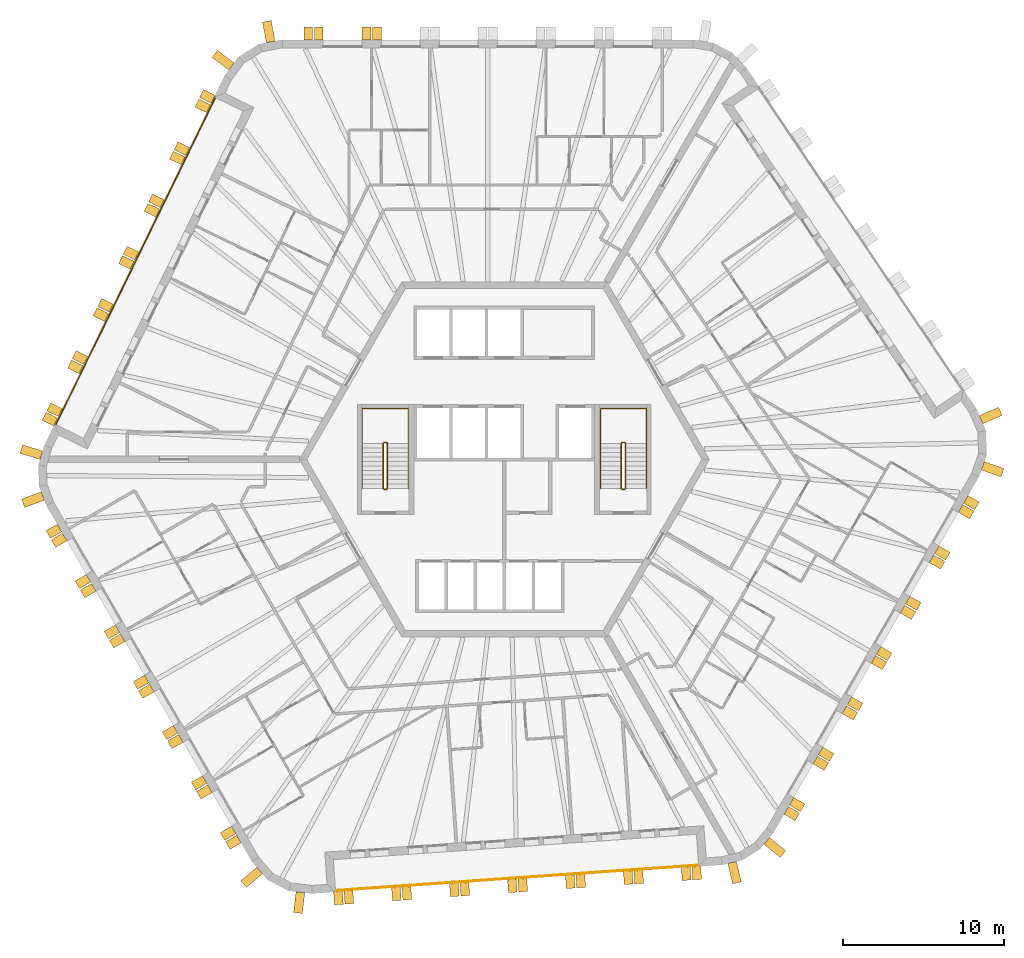
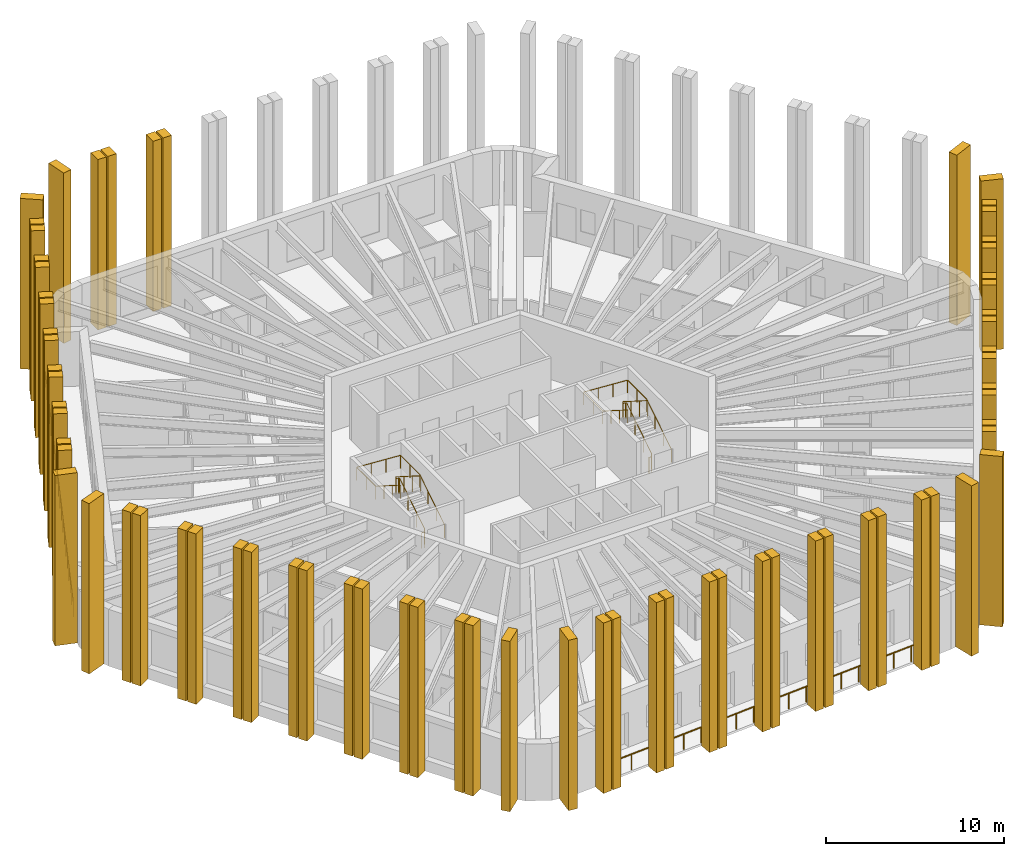
# One storey, part 12 of 13: 70 shading devices, 6 railings.
"""IFC4 building model written with IfcOpenShell, lengths in metres."""

from ifc_helpers import new_model, si_unit, direction, frame, origin, origin_2d, place, context, subcontext, project, spatial, polyline, circle, outline, extrude, material, layer, layer_set, type_object, element, save


model = new_model("IFC4")

# Units and contexts
model_context = context("Model", 3, precision=1e-05, world=origin(), true_north=direction((0.0, 1.0)))
body_context = subcontext(model_context, "Body", "Model", "MODEL_VIEW")
ifc_project = project(units=[si_unit("LENGTHUNIT", "METRE"), si_unit("AREAUNIT", "SQUARE_METRE"), si_unit("VOLUMEUNIT", "CUBIC_METRE"), si_unit("PLANEANGLEUNIT", "RADIAN"), si_unit("MASSUNIT", "GRAM", prefix="KILO")], contexts=[model_context])

# Site, building, storey
site_placement = place(None, origin())
site = spatial("IfcSite", under=ifc_project, at=site_placement, CompositionType="ELEMENT")
building_placement = place(site_placement, origin())
building = spatial("IfcBuilding", under=site, at=building_placement, Name="Tarnside Tower", CompositionType="ELEMENT")
storey_placement = place(building_placement, frame((0.0, 0.0, 267.89990234375)))
storey = spatial("IfcBuildingStorey", under=building, at=storey_placement, Name="L64", CompositionType="ELEMENT", Elevation=267.89990234375)

# Railings
ifc_material_1 = material(Name="Toughened glass", Category="glass")
railing_type_1 = type_object("IfcRailingType", Name="Glass guard 1100", PredefinedType="GUARDRAIL", material=ifc_material_1)
railing_1_placement = place(storey_placement, frame((-17.906005859375, 22.415283203125, 0.0)))
element("IfcRailing", 1, at=railing_1_placement, inside=storey, type_object=railing_type_1, Name="Loggia guard L64 F2", PredefinedType="GUARDRAIL", context=body_context, shape_type="SweptSolid", body=[
    extrude(circle(Radius=0.030029296875, at=origin_2d()), frame((0.0, 0.0, 1.070068359375), z_axis=(-0.438372639335, -0.898793318335, 0.0), x_axis=(0.898793318335, -0.438372639335, 0.0)), (0.0, 0.0, 1.0), 22.544921875),
    extrude(circle(Radius=0.02490234375, at=origin_2d()), origin(), (0.0, 0.0, 1.0), 1.0400390625),
    extrude(circle(Radius=0.02490234375, at=origin_2d()), frame((-0.520263671875, -1.06640625, 0.0)), (0.0, 0.0, 1.0), 1.0400390625),
    extrude(circle(Radius=0.02490234375, at=origin_2d()), frame((-1.040283203125, -2.133056640625, 0.0)), (0.0, 0.0, 1.0), 1.0400390625),
    extrude(circle(Radius=0.02490234375, at=origin_2d()), frame((-1.560546875, -3.199462890625, 0.0)), (0.0, 0.0, 1.0), 1.0400390625),
    extrude(circle(Radius=0.02490234375, at=origin_2d()), frame((-2.08056640625, -4.265869140625, 0.0)), (0.0, 0.0, 1.0), 1.0400390625),
    extrude(circle(Radius=0.02490234375, at=origin_2d()), frame((-2.600830078125, -5.33251953125, 0.0)), (0.0, 0.0, 1.0), 1.0400390625),
    extrude(circle(Radius=0.02490234375, at=origin_2d()), frame((-3.120849609375, -6.39892578125, 0.0)), (0.0, 0.0, 1.0), 1.0400390625),
    extrude(circle(Radius=0.02490234375, at=origin_2d()), frame((-3.64111328125, -7.46533203125, 0.0)), (0.0, 0.0, 1.0), 1.0400390625),
    extrude(circle(Radius=0.02490234375, at=origin_2d()), frame((-4.161376953125, -8.531982421875, 0.0)), (0.0, 0.0, 1.0), 1.0400390625),
    extrude(circle(Radius=0.02490234375, at=origin_2d()), frame((-4.681396484375, -9.598388671875, 0.0)), (0.0, 0.0, 1.0), 1.0400390625),
    extrude(circle(Radius=0.02490234375, at=origin_2d()), frame((-5.20166015625, -10.664794921875, 0.0)), (0.0, 0.0, 1.0), 1.0400390625),
    extrude(circle(Radius=0.02490234375, at=origin_2d()), frame((-5.7216796875, -11.731201171875, 0.0)), (0.0, 0.0, 1.0), 1.0400390625),
    extrude(circle(Radius=0.02490234375, at=origin_2d()), frame((-6.241943359375, -12.7978515625, 0.0)), (0.0, 0.0, 1.0), 1.0400390625),
    extrude(circle(Radius=0.02490234375, at=origin_2d()), frame((-6.76220703125, -13.8642578125, 0.0)), (0.0, 0.0, 1.0), 1.0400390625),
    extrude(circle(Radius=0.02490234375, at=origin_2d()), frame((-7.2822265625, -14.9306640625, 0.0)), (0.0, 0.0, 1.0), 1.0400390625),
    extrude(circle(Radius=0.02490234375, at=origin_2d()), frame((-7.802490234375, -15.997314453125, 0.0)), (0.0, 0.0, 1.0), 1.0400390625),
    extrude(circle(Radius=0.02490234375, at=origin_2d()), frame((-8.322509765625, -17.063720703125, 0.0)), (0.0, 0.0, 1.0), 1.0400390625),
    extrude(circle(Radius=0.02490234375, at=origin_2d()), frame((-8.8427734375, -18.130126953125, 0.0)), (0.0, 0.0, 1.0), 1.0400390625),
    extrude(circle(Radius=0.02490234375, at=origin_2d()), frame((-9.36279296875, -19.19677734375, 0.0)), (0.0, 0.0, 1.0), 1.0400390625),
    extrude(circle(Radius=0.02490234375, at=origin_2d()), frame((-9.883056640625, -20.26318359375, 0.0)), (0.0, 0.0, 1.0), 1.0400390625),
])
railing_2_placement = place(storey_placement, frame((-10.458984375, -26.714599609375, 0.0)))
element("IfcRailing", 2, at=railing_2_placement, inside=storey, type_object=railing_type_1, Name="Loggia guard L64 F4", PredefinedType="GUARDRAIL", context=body_context, shape_type="SweptSolid", body=[
    extrude(circle(Radius=0.030029296875, at=origin_2d()), frame((0.0, 0.0, 1.070068359375), z_axis=(0.997564440639, 0.069750890837, 0.0), x_axis=(-0.069750890837, 0.997564440639, 0.0)), (0.0, 0.0, 1.0), 22.544677734375),
    extrude(circle(Radius=0.02490234375, at=origin_2d()), origin(), (0.0, 0.0, 1.0), 1.0400390625),
    extrude(circle(Radius=0.02490234375, at=origin_2d()), frame((1.18359375, 0.082763671875, 0.0)), (0.0, 0.0, 1.0), 1.0400390625),
    extrude(circle(Radius=0.02490234375, at=origin_2d()), frame((2.367431640625, 0.16552734375, 0.0)), (0.0, 0.0, 1.0), 1.0400390625),
    extrude(circle(Radius=0.02490234375, at=origin_2d()), frame((3.551025390625, 0.248291015625, 0.0)), (0.0, 0.0, 1.0), 1.0400390625),
    extrude(circle(Radius=0.02490234375, at=origin_2d()), frame((4.734619140625, 0.3310546875, 0.0)), (0.0, 0.0, 1.0), 1.0400390625),
    extrude(circle(Radius=0.02490234375, at=origin_2d()), frame((5.91845703125, 0.413818359375, 0.0)), (0.0, 0.0, 1.0), 1.0400390625),
    extrude(circle(Radius=0.02490234375, at=origin_2d()), frame((7.10205078125, 0.49658203125, 0.0)), (0.0, 0.0, 1.0), 1.0400390625),
    extrude(circle(Radius=0.02490234375, at=origin_2d()), frame((8.28564453125, 0.579345703125, 0.0)), (0.0, 0.0, 1.0), 1.0400390625),
    extrude(circle(Radius=0.02490234375, at=origin_2d()), frame((9.469482421875, 0.662109375, 0.0)), (0.0, 0.0, 1.0), 1.0400390625),
    extrude(circle(Radius=0.02490234375, at=origin_2d()), frame((10.653076171875, 0.744873046875, 0.0)), (0.0, 0.0, 1.0), 1.0400390625),
    extrude(circle(Radius=0.02490234375, at=origin_2d()), frame((11.836669921875, 0.82763671875, 0.0)), (0.0, 0.0, 1.0), 1.0400390625),
    extrude(circle(Radius=0.02490234375, at=origin_2d()), frame((13.020263671875, 0.910400390625, 0.0)), (0.0, 0.0, 1.0), 1.0400390625),
    extrude(circle(Radius=0.02490234375, at=origin_2d()), frame((14.2041015625, 0.9931640625, 0.0)), (0.0, 0.0, 1.0), 1.0400390625),
    extrude(circle(Radius=0.02490234375, at=origin_2d()), frame((15.3876953125, 1.075927734375, 0.0)), (0.0, 0.0, 1.0), 1.0400390625),
    extrude(circle(Radius=0.02490234375, at=origin_2d()), frame((16.5712890625, 1.15869140625, 0.0)), (0.0, 0.0, 1.0), 1.0400390625),
    extrude(circle(Radius=0.02490234375, at=origin_2d()), frame((17.755126953125, 1.241455078125, 0.0)), (0.0, 0.0, 1.0), 1.0400390625),
    extrude(circle(Radius=0.02490234375, at=origin_2d()), frame((18.938720703125, 1.32421875, 0.0)), (0.0, 0.0, 1.0), 1.0400390625),
    extrude(circle(Radius=0.02490234375, at=origin_2d()), frame((20.122314453125, 1.406982421875, 0.0)), (0.0, 0.0, 1.0), 1.0400390625),
    extrude(circle(Radius=0.02490234375, at=origin_2d()), frame((21.30615234375, 1.48974609375, 0.0)), (0.0, 0.0, 1.0), 1.0400390625),
    extrude(circle(Radius=0.02490234375, at=origin_2d()), frame((22.48974609375, 1.572509765625, 0.0)), (0.0, 0.0, 1.0), 1.0400390625),
])

# Shading devices
ifc_material_2 = material(Name="Concrete C50/60 white precast", Category="concrete")
ifc_layer_1 = layer(ifc_material_2, 0.550048828125)
ifc_layer_set_1 = layer_set([ifc_layer_1], Name="Precast fin 550 x 1300")
shading_device_type_1 = type_object("IfcShadingDeviceType", Name="Precast fin 550 x 1300", PredefinedType="USERDEFINED", material=ifc_layer_set_1)
for number, where, z_axis, x_axis, name in (
    (3, (-14.4755859375, 25.8671875, -0.14990234375), (0.982720646705, 0.18509492305, 0.0), (-0.18509492305, 0.982720646705, 0.0), "Precast fin"),
    (4, (-16.903564453125, 24.349853515625, -0.14990234375), (0.597158591707, 0.802123192752, 0.0), (-0.802123192752, 0.597158591707, 0.0), "Precast fin"),
    (5, (-28.685791015625, 0.263427734375, -0.14990234375), (0.286803232717, 0.957989512314, 0.0), (-0.957989512314, 0.286803232717, 0.0), "Precast fin"),
    (6, (-28.597412109375, -2.263671875, -0.14990234375), (-0.352930564719, 0.935649515837, 0.0), (-0.935649515837, -0.352930564719, 0.0), "Precast fin"),
    (7, (-15.163818359375, -25.4697265625, -0.14990234375), (-0.651657228826, 0.758513583345, 0.0), (-0.758513583345, -0.651657228826, 0.0), "Precast fin"),
    (8, (-12.6357421875, -26.81396484375, -0.14990234375), (-0.993238357741, 0.116092914131, 0.0), (-0.116092914131, -0.993238357741, 0.0), "Precast fin"),
    (9, (14.11474609375, -24.974365234375, -0.14990234375), (-0.973044870581, -0.230615870737, 0.0), (0.230615870737, -0.973044870581, 0.0), "Precast fin"),
    (10, (16.25927734375, -23.63427734375, -0.14990234375), (-0.633830967394, -0.773471592738, 0.0), (0.773471592738, -0.633830967394, 0.0), "Precast fin"),
    (11, (29.639404296875, -0.3974609375, -0.14990234375), (-0.331063417879, -0.943608506396, 0.0), (0.943608506396, -0.331063417879, 0.0), "Precast fin"),
    (12, (29.53955078125, 2.464111328125, -0.14990234375), (0.396079766034, -0.918216106883, 0.0), (0.918216106883, 0.396079766034, 0.0), "Precast fin"),
):
    element("IfcShadingDevice", number, at=place(storey_placement, frame(where, z_axis=z_axis, x_axis=x_axis)), inside=storey, type_object=shading_device_type_1, Name=name, ObjectType="FIN", PredefinedType="USERDEFINED", context=body_context, shape_type="SweptSolid", body=[
        extrude(outline(polyline([(0.0, 0.0), (1.300048828125, 0.0), (1.300048828125, 11.699951171875), (0.0, 11.699951171875), (0.0, 0.0)])), frame((0.0, 0.0, -0.27490234375)), (0.0, 0.0, 1.0), 0.550048828125),
    ])
ifc_layer_2 = layer(ifc_material_2, 0.550048828125)
ifc_layer_set_2 = layer_set([ifc_layer_2], Name="Precast fin 550 x 800")
shading_device_type_2 = type_object("IfcShadingDeviceType", Name="Precast fin 550 x 800", PredefinedType="USERDEFINED", material=ifc_layer_set_2)
for number, where, z_axis, x_axis, name in (
    (13, (-7.89990234375, 26.0, -0.14990234375), (1.0, 0.0, 0.0), (0.0, 1.0, 0.0), "Precast fin"),
    (14, (-8.5498046875, 26.0, -0.14990234375), (1.0, 0.0, 0.0), (0.0, 1.0, 0.0), "Precast fin"),
    (15, (-11.499755859375, 26.0, -0.14990234375), (1.0, 0.0, 0.0), (0.0, 1.0, 0.0), "Precast fin"),
    (16, (-12.14990234375, 26.0, -0.14990234375), (1.0, 0.0, 0.0), (0.0, 1.0, 0.0), "Precast fin"),
    (17, (-18.04248046875, 22.31787109375, -0.14990234375), (0.438371146789, 0.898794046299, 0.0), (-0.898794046299, 0.438371146789, 0.0), "Precast fin"),
    (18, (-18.327392578125, 21.733642578125, -0.14990234375), (0.438371146789, 0.898794046299, 0.0), (-0.898794046299, 0.438371146789, 0.0), "Precast fin"),
    (19, (-19.62060546875, 19.08203125, -0.14990234375), (0.438371146789, 0.898794046299, 0.0), (-0.898794046299, 0.438371146789, 0.0), "Precast fin"),
    (20, (-19.905517578125, 18.497802734375, -0.14990234375), (0.438371146789, 0.898794046299, 0.0), (-0.898794046299, 0.438371146789, 0.0), "Precast fin"),
    (21, (-21.19873046875, 15.846435546875, -0.14990234375), (0.438371146789, 0.898794046299, 0.0), (-0.898794046299, 0.438371146789, 0.0), "Precast fin"),
    (22, (-21.48388671875, 15.26220703125, -0.14990234375), (0.438371146789, 0.898794046299, 0.0), (-0.898794046299, 0.438371146789, 0.0), "Precast fin"),
    (23, (-22.77685546875, 12.61083984375, -0.14990234375), (0.438371146789, 0.898794046299, 0.0), (-0.898794046299, 0.438371146789, 0.0), "Precast fin"),
    (24, (-23.06201171875, 12.026611328125, -0.14990234375), (0.438371146789, 0.898794046299, 0.0), (-0.898794046299, 0.438371146789, 0.0), "Precast fin"),
    (25, (-24.35498046875, 9.375, -0.14990234375), (0.438371146789, 0.898794046299, 0.0), (-0.898794046299, 0.438371146789, 0.0), "Precast fin"),
    (26, (-24.64013671875, 8.791015625, -0.14990234375), (0.438371146789, 0.898794046299, 0.0), (-0.898794046299, 0.438371146789, 0.0), "Precast fin"),
    (27, (-25.933349609375, 6.139404296875, -0.14990234375), (0.438371146789, 0.898794046299, 0.0), (-0.898794046299, 0.438371146789, 0.0), "Precast fin"),
    (28, (-26.21826171875, 5.55517578125, -0.14990234375), (0.438371146789, 0.898794046299, 0.0), (-0.898794046299, 0.438371146789, 0.0), "Precast fin"),
    (29, (-27.511474609375, 2.90380859375, -0.14990234375), (0.438371146789, 0.898794046299, 0.0), (-0.898794046299, 0.438371146789, 0.0), "Precast fin"),
    (30, (-27.79638671875, 2.319580078125, -0.14990234375), (0.438371146789, 0.898794046299, 0.0), (-0.898794046299, 0.438371146789, 0.0), "Precast fin"),
    (31, (-27.566650390625, -4.2529296875, -0.14990234375), (-0.5, 0.866025403784, 0.0), (-0.866025403784, -0.5, 0.0), "Precast fin"),
    (32, (-27.24169921875, -4.81591796875, -0.14990234375), (-0.5, 0.866025403784, 0.0), (-0.866025403784, -0.5, 0.0), "Precast fin"),
    (33, (-25.766845703125, -7.37060546875, -0.14990234375), (-0.5, 0.866025403784, 0.0), (-0.866025403784, -0.5, 0.0), "Precast fin"),
    (34, (-25.441650390625, -7.93359375, -0.14990234375), (-0.5, 0.866025403784, 0.0), (-0.866025403784, -0.5, 0.0), "Precast fin"),
    (35, (-23.966796875, -10.48828125, -0.14990234375), (-0.5, 0.866025403784, 0.0), (-0.866025403784, -0.5, 0.0), "Precast fin"),
    (36, (-23.641845703125, -11.05126953125, -0.14990234375), (-0.5, 0.866025403784, 0.0), (-0.866025403784, -0.5, 0.0), "Precast fin"),
    (37, (-22.166748046875, -13.60595703125, -0.14990234375), (-0.5, 0.866025403784, 0.0), (-0.866025403784, -0.5, 0.0), "Precast fin"),
    (38, (-21.841796875, -14.1689453125, -0.14990234375), (-0.5, 0.866025403784, 0.0), (-0.866025403784, -0.5, 0.0), "Precast fin"),
    (39, (-20.36669921875, -16.7236328125, -0.14990234375), (-0.5, 0.866025403784, 0.0), (-0.866025403784, -0.5, 0.0), "Precast fin"),
    (40, (-20.041748046875, -17.28662109375, -0.14990234375), (-0.5, 0.866025403784, 0.0), (-0.866025403784, -0.5, 0.0), "Precast fin"),
    (41, (-18.566650390625, -19.84130859375, -0.14990234375), (-0.5, 0.866025403784, 0.0), (-0.866025403784, -0.5, 0.0), "Precast fin"),
    (42, (-18.24169921875, -20.404296875, -0.14990234375), (-0.5, 0.866025403784, 0.0), (-0.866025403784, -0.5, 0.0), "Precast fin"),
    (43, (-16.766845703125, -22.959228515625, -0.14990234375), (-0.5, 0.866025403784, 0.0), (-0.866025403784, -0.5, 0.0), "Precast fin"),
    (44, (-16.441650390625, -23.52197265625, -0.14990234375), (-0.5, 0.866025403784, 0.0), (-0.866025403784, -0.5, 0.0), "Precast fin"),
    (45, (-10.306396484375, -26.7841796875, -0.14990234375), (-0.99756405026, -0.069756473744, 0.0), (0.069756473744, -0.99756405026, 0.0), "Precast fin"),
    (46, (-9.657958984375, -26.73876953125, -0.14990234375), (-0.99756405026, -0.069756473744, 0.0), (0.069756473744, -0.99756405026, 0.0), "Precast fin"),
    (47, (-6.71533203125, -26.532958984375, -0.14990234375), (-0.99756405026, -0.069756473744, 0.0), (0.069756473744, -0.99756405026, 0.0), "Precast fin"),
    (48, (-6.06689453125, -26.48779296875, -0.14990234375), (-0.99756405026, -0.069756473744, 0.0), (0.069756473744, -0.99756405026, 0.0), "Precast fin"),
    (49, (-3.1240234375, -26.281982421875, -0.14990234375), (-0.99756405026, -0.069756473744, 0.0), (0.069756473744, -0.99756405026, 0.0), "Precast fin"),
    (50, (-2.4755859375, -26.236572265625, -0.14990234375), (-0.99756405026, -0.069756473744, 0.0), (0.069756473744, -0.99756405026, 0.0), "Precast fin"),
    (51, (0.46728515625, -26.03076171875, -0.14990234375), (-0.99756405026, -0.069756473744, 0.0), (0.069756473744, -0.99756405026, 0.0), "Precast fin"),
    (52, (1.11572265625, -25.985595703125, -0.14990234375), (-0.99756405026, -0.069756473744, 0.0), (0.069756473744, -0.99756405026, 0.0), "Precast fin"),
    (53, (4.058349609375, -25.77978515625, -0.14990234375), (-0.99756405026, -0.069756473744, 0.0), (0.069756473744, -0.99756405026, 0.0), "Precast fin"),
    (54, (4.706787109375, -25.734375, -0.14990234375), (-0.99756405026, -0.069756473744, 0.0), (0.069756473744, -0.99756405026, 0.0), "Precast fin"),
    (55, (7.649658203125, -25.528564453125, -0.14990234375), (-0.99756405026, -0.069756473744, 0.0), (0.069756473744, -0.99756405026, 0.0), "Precast fin"),
    (56, (8.298095703125, -25.483154296875, -0.14990234375), (-0.99756405026, -0.069756473744, 0.0), (0.069756473744, -0.99756405026, 0.0), "Precast fin"),
    (57, (11.240966796875, -25.27734375, -0.14990234375), (-0.99756405026, -0.069756473744, 0.0), (0.069756473744, -0.99756405026, 0.0), "Precast fin"),
    (58, (11.889404296875, -25.232177734375, -0.14990234375), (-0.99756405026, -0.069756473744, 0.0), (0.069756473744, -0.99756405026, 0.0), "Precast fin"),
    (59, (17.466552734375, -21.7470703125, -0.14990234375), (-0.5, -0.866025403784, 0.0), (0.866025403784, -0.5, 0.0), "Precast fin"),
    (60, (17.79150390625, -21.18408203125, -0.14990234375), (-0.5, -0.866025403784, 0.0), (0.866025403784, -0.5, 0.0), "Precast fin"),
    (61, (19.2666015625, -18.62939453125, -0.14990234375), (-0.5, -0.866025403784, 0.0), (0.866025403784, -0.5, 0.0), "Precast fin"),
    (62, (19.591552734375, -18.06640625, -0.14990234375), (-0.5, -0.866025403784, 0.0), (0.866025403784, -0.5, 0.0), "Precast fin"),
    (63, (21.066650390625, -15.51171875, -0.14990234375), (-0.5, -0.866025403784, 0.0), (0.866025403784, -0.5, 0.0), "Precast fin"),
    (64, (21.3916015625, -14.94873046875, -0.14990234375), (-0.5, -0.866025403784, 0.0), (0.866025403784, -0.5, 0.0), "Precast fin"),
    (65, (22.866455078125, -12.39404296875, -0.14990234375), (-0.5, -0.866025403784, 0.0), (0.866025403784, -0.5, 0.0), "Precast fin"),
    (66, (23.191650390625, -11.8310546875, -0.14990234375), (-0.5, -0.866025403784, 0.0), (0.866025403784, -0.5, 0.0), "Precast fin"),
    (67, (24.66650390625, -9.2763671875, -0.14990234375), (-0.5, -0.866025403784, 0.0), (0.866025403784, -0.5, 0.0), "Precast fin"),
    (68, (24.991455078125, -8.71337890625, -0.14990234375), (-0.5, -0.866025403784, 0.0), (0.866025403784, -0.5, 0.0), "Precast fin"),
    (69, (26.466552734375, -6.15869140625, -0.14990234375), (-0.5, -0.866025403784, 0.0), (0.866025403784, -0.5, 0.0), "Precast fin"),
    (70, (26.79150390625, -5.595703125, -0.14990234375), (-0.5, -0.866025403784, 0.0), (0.866025403784, -0.5, 0.0), "Precast fin"),
    (71, (28.2666015625, -3.040771484375, -0.14990234375), (-0.5, -0.866025403784, 0.0), (0.866025403784, -0.5, 0.0), "Precast fin"),
    (72, (28.591552734375, -2.47802734375, -0.14990234375), (-0.5, -0.866025403784, 0.0), (0.866025403784, -0.5, 0.0), "Precast fin"),
):
    element("IfcShadingDevice", number, at=place(storey_placement, frame(where, z_axis=z_axis, x_axis=x_axis)), inside=storey, type_object=shading_device_type_2, Name=name, ObjectType="FIN", PredefinedType="USERDEFINED", context=body_context, shape_type="SweptSolid", body=[
        extrude(outline(polyline([(0.0, 0.0), (0.800048828125, 0.0), (0.800048828125, 11.699951171875), (0.0, 11.699951171875), (0.0, 0.0)])), frame((0.0, 0.0, -0.27490234375)), (0.0, 0.0, 1.0), 0.550048828125),
    ])

# Railings
ifc_material_3 = material(Name="Stainless steel", Category="steel")
railing_type_2 = type_object("IfcRailingType", Name="Stair guard 1100", PredefinedType="GUARDRAIL", material=ifc_material_3)
railing_3_placement = place(storey_placement, frame((7.300048828125, -1.85009765625, 0.0)))
element("IfcRailing", 73, at=railing_3_placement, inside=storey, type_object=railing_type_2, Name="L64 ST1 stair guard 1", PredefinedType="GUARDRAIL", context=body_context, shape_type="SweptSolid", body=[
    extrude(circle(Radius=0.02392578125, at=origin_2d()), frame((0.0, 0.0, 1.076171875), z_axis=(1.0, 0.0, 0.0), x_axis=(0.0, 1.0, 0.0)), (0.0, 0.0, 1.0), 0.14990234375),
    extrude(circle(Radius=0.02392578125, at=origin_2d()), frame((0.14990234375, 0.0, 1.076171875), z_axis=(0.261922500866, 0.261922500866, 0.928866625022), x_axis=(-0.707106781187, 0.707106781187, 0.0)), (0.0, 0.0, 1.0), 0.191162109375),
    extrude(circle(Radius=0.02392578125, at=origin_2d()), frame((0.199951171875, 0.050048828125, 1.25341796875), z_axis=(0.0, 0.844908973607, 0.534910110503), x_axis=(-1.0, 0.0, 0.0)), (0.0, 0.0, 1.0), 3.31396484375),
    extrude(circle(Radius=0.02392578125, at=origin_2d()), frame((0.199951171875, 2.85009765625, 3.0263671875), z_axis=(-0.707106781187, 0.707106781187, 0.0), x_axis=(-0.707106781187, -0.707106781187, 0.0)), (0.0, 0.0, 1.0), 0.07080078125),
    extrude(circle(Radius=0.02392578125, at=origin_2d()), frame((0.14990234375, 2.900146484375, 3.0263671875), z_axis=(-1.0, 0.0, 0.0), x_axis=(0.0, -1.0, 0.0)), (0.0, 0.0, 1.0), 0.14990234375),
    extrude(circle(Radius=0.02392578125, at=origin_2d()), frame((0.0, 2.900146484375, 3.0263671875), z_axis=(-0.262233686654, -0.262233686654, 0.928691007369), x_axis=(0.707106781187, -0.707106781187, 0.0)), (0.0, 0.0, 1.0), 0.19091796875),
    extrude(circle(Radius=0.02392578125, at=origin_2d()), frame((-0.050048828125, 2.85009765625, 3.20361328125), z_axis=(0.0, -0.844908973607, 0.534910110503), x_axis=(1.0, 0.0, 0.0)), (0.0, 0.0, 1.0), 3.31396484375),
    extrude(circle(Radius=0.02099609375, at=origin_2d()), origin(), (0.0, 0.0, 1.0), 1.052001953125),
    extrude(circle(Radius=0.02099609375, at=origin_2d()), frame((0.14990234375, 0.0, 0.0)), (0.0, 0.0, 1.0), 1.052001953125),
    extrude(circle(Radius=0.02099609375, at=origin_2d()), frame((0.199951171875, 0.050048828125, 0.177490234375)), (0.0, 0.0, 1.0), 1.052001953125),
    extrude(circle(Radius=0.02099609375, at=origin_2d()), frame((0.199951171875, 0.9833984375, 0.768310546875)), (0.0, 0.0, 1.0), 1.052001953125),
    extrude(circle(Radius=0.02099609375, at=origin_2d()), frame((0.199951171875, 1.916748046875, 1.359375)), (0.0, 0.0, 1.0), 1.052001953125),
    extrude(circle(Radius=0.02099609375, at=origin_2d()), frame((0.199951171875, 2.85009765625, 1.9501953125)), (0.0, 0.0, 1.0), 1.052001953125),
    extrude(circle(Radius=0.02099609375, at=origin_2d()), frame((0.14990234375, 2.900146484375, 1.9501953125)), (0.0, 0.0, 1.0), 1.052001953125),
    extrude(circle(Radius=0.02099609375, at=origin_2d()), frame((0.0, 2.900146484375, 1.9501953125)), (0.0, 0.0, 1.0), 1.052001953125),
    extrude(circle(Radius=0.02099609375, at=origin_2d()), frame((-0.050048828125, 2.85009765625, 2.12744140625)), (0.0, 0.0, 1.0), 1.052001953125),
    extrude(circle(Radius=0.02099609375, at=origin_2d()), frame((-0.050048828125, 1.916748046875, 2.71826171875)), (0.0, 0.0, 1.0), 1.052001953125),
    extrude(circle(Radius=0.02099609375, at=origin_2d()), frame((-0.050048828125, 0.9833984375, 3.309326171875)), (0.0, 0.0, 1.0), 1.052001953125),
    extrude(circle(Radius=0.02099609375, at=origin_2d()), frame((-0.050048828125, 0.050048828125, 3.900146484375)), (0.0, 0.0, 1.0), 1.052001953125),
])
railing_4_placement = place(storey_placement, frame((-7.449951171875, -1.85009765625, 0.0)))
element("IfcRailing", 74, at=railing_4_placement, inside=storey, type_object=railing_type_2, Name="L64 ST2 stair guard 1", PredefinedType="GUARDRAIL", context=body_context, shape_type="SweptSolid", body=[
    extrude(circle(Radius=0.02392578125, at=origin_2d()), frame((0.0, 0.0, 1.076171875), z_axis=(1.0, 0.0, 0.0), x_axis=(0.0, 1.0, 0.0)), (0.0, 0.0, 1.0), 0.14990234375),
    extrude(circle(Radius=0.02392578125, at=origin_2d()), frame((0.14990234375, 0.0, 1.076171875), z_axis=(0.261922500866, 0.261922500866, 0.928866625022), x_axis=(-0.707106781187, 0.707106781187, 0.0)), (0.0, 0.0, 1.0), 0.191162109375),
    extrude(circle(Radius=0.02392578125, at=origin_2d()), frame((0.199951171875, 0.050048828125, 1.25341796875), z_axis=(0.0, 0.844908973607, 0.534910110503), x_axis=(-1.0, 0.0, 0.0)), (0.0, 0.0, 1.0), 3.31396484375),
    extrude(circle(Radius=0.02392578125, at=origin_2d()), frame((0.199951171875, 2.85009765625, 3.0263671875), z_axis=(-0.707106781187, 0.707106781187, 0.0), x_axis=(-0.707106781187, -0.707106781187, 0.0)), (0.0, 0.0, 1.0), 0.07080078125),
    extrude(circle(Radius=0.02392578125, at=origin_2d()), frame((0.14990234375, 2.900146484375, 3.0263671875), z_axis=(-1.0, 0.0, 0.0), x_axis=(0.0, -1.0, 0.0)), (0.0, 0.0, 1.0), 0.14990234375),
    extrude(circle(Radius=0.02392578125, at=origin_2d()), frame((0.0, 2.900146484375, 3.0263671875), z_axis=(-0.262233686654, -0.262233686654, 0.928691007369), x_axis=(0.707106781187, -0.707106781187, 0.0)), (0.0, 0.0, 1.0), 0.19091796875),
    extrude(circle(Radius=0.02392578125, at=origin_2d()), frame((-0.050048828125, 2.85009765625, 3.20361328125), z_axis=(0.0, -0.844908973607, 0.534910110503), x_axis=(1.0, 0.0, 0.0)), (0.0, 0.0, 1.0), 3.31396484375),
    extrude(circle(Radius=0.02099609375, at=origin_2d()), origin(), (0.0, 0.0, 1.0), 1.052001953125),
    extrude(circle(Radius=0.02099609375, at=origin_2d()), frame((0.14990234375, 0.0, 0.0)), (0.0, 0.0, 1.0), 1.052001953125),
    extrude(circle(Radius=0.02099609375, at=origin_2d()), frame((0.199951171875, 0.050048828125, 0.177490234375)), (0.0, 0.0, 1.0), 1.052001953125),
    extrude(circle(Radius=0.02099609375, at=origin_2d()), frame((0.199951171875, 0.9833984375, 0.768310546875)), (0.0, 0.0, 1.0), 1.052001953125),
    extrude(circle(Radius=0.02099609375, at=origin_2d()), frame((0.199951171875, 1.916748046875, 1.359375)), (0.0, 0.0, 1.0), 1.052001953125),
    extrude(circle(Radius=0.02099609375, at=origin_2d()), frame((0.199951171875, 2.85009765625, 1.9501953125)), (0.0, 0.0, 1.0), 1.052001953125),
    extrude(circle(Radius=0.02099609375, at=origin_2d()), frame((0.14990234375, 2.900146484375, 1.9501953125)), (0.0, 0.0, 1.0), 1.052001953125),
    extrude(circle(Radius=0.02099609375, at=origin_2d()), frame((0.0, 2.900146484375, 1.9501953125)), (0.0, 0.0, 1.0), 1.052001953125),
    extrude(circle(Radius=0.02099609375, at=origin_2d()), frame((-0.050048828125, 2.85009765625, 2.12744140625)), (0.0, 0.0, 1.0), 1.052001953125),
    extrude(circle(Radius=0.02099609375, at=origin_2d()), frame((-0.050048828125, 1.916748046875, 2.71826171875)), (0.0, 0.0, 1.0), 1.052001953125),
    extrude(circle(Radius=0.02099609375, at=origin_2d()), frame((-0.050048828125, 0.9833984375, 3.309326171875)), (0.0, 0.0, 1.0), 1.052001953125),
    extrude(circle(Radius=0.02099609375, at=origin_2d()), frame((-0.050048828125, 0.050048828125, 3.900146484375)), (0.0, 0.0, 1.0), 1.052001953125),
])
railing_type_3 = type_object("IfcRailingType", Name="Stair handrail 900", PredefinedType="HANDRAIL", material=ifc_material_3)
railing_5_placement = place(storey_placement, frame((8.800048828125, -1.800048828125, 0.177490234375)))
element("IfcRailing", 75, at=railing_5_placement, inside=storey, type_object=railing_type_3, Name="L64 ST1 stair handrail 1", PredefinedType="HANDRAIL", context=body_context, shape_type="SweptSolid", body=[
    extrude(circle(Radius=0.02392578125, at=origin_2d()), frame((0.0, 0.0, 0.8857421875), z_axis=(0.0, 0.844908973607, 0.534910110503), x_axis=(-1.0, 0.0, 0.0)), (0.0, 0.0, 1.0), 3.31396484375),
    extrude(circle(Radius=0.02392578125, at=origin_2d()), frame((0.0, 2.800048828125, 2.65869140625), z_axis=(0.0, 1.0, 0.0), x_axis=(-1.0, 0.0, 0.0)), (0.0, 0.0, 1.0), 2.14990234375),
    extrude(circle(Radius=0.02392578125, at=origin_2d()), frame((0.0, 4.949951171875, 2.65869140625), z_axis=(-0.998071825391, 0.0, 0.06206956872), x_axis=(0.0, -1.0, 0.0)), (0.0, 0.0, 1.0), 2.855712890625),
    extrude(circle(Radius=0.02392578125, at=origin_2d()), frame((-2.85009765625, 4.949951171875, 2.8359375), z_axis=(0.0, -1.0, 0.0), x_axis=(1.0, 0.0, 0.0)), (0.0, 0.0, 1.0), 2.14990234375),
    extrude(circle(Radius=0.02392578125, at=origin_2d()), frame((-2.85009765625, 2.800048828125, 2.8359375), z_axis=(0.0, -0.844908973607, 0.534910110503), x_axis=(1.0, 0.0, 0.0)), (0.0, 0.0, 1.0), 3.31396484375),
    extrude(circle(Radius=0.02099609375, at=origin_2d()), origin(), (0.0, 0.0, 1.0), 0.86181640625),
    extrude(circle(Radius=0.02099609375, at=origin_2d()), frame((0.0, 0.933349609375, 0.5908203125)), (0.0, 0.0, 1.0), 0.86181640625),
    extrude(circle(Radius=0.02099609375, at=origin_2d()), frame((0.0, 1.86669921875, 1.181884765625)), (0.0, 0.0, 1.0), 0.86181640625),
    extrude(circle(Radius=0.02099609375, at=origin_2d()), frame((0.0, 2.800048828125, 1.772705078125)), (0.0, 0.0, 1.0), 0.86181640625),
    extrude(circle(Radius=0.02099609375, at=origin_2d()), frame((0.0, 3.875, 1.772705078125)), (0.0, 0.0, 1.0), 0.86181640625),
    extrude(circle(Radius=0.02099609375, at=origin_2d()), frame((0.0, 4.949951171875, 1.772705078125)), (0.0, 0.0, 1.0), 0.86181640625),
    extrude(circle(Radius=0.02099609375, at=origin_2d()), frame((-0.949951171875, 4.949951171875, 1.831787109375)), (0.0, 0.0, 1.0), 0.86181640625),
    extrude(circle(Radius=0.02099609375, at=origin_2d()), frame((-1.900146484375, 4.949951171875, 1.890869140625)), (0.0, 0.0, 1.0), 0.86181640625),
    extrude(circle(Radius=0.02099609375, at=origin_2d()), frame((-2.85009765625, 4.949951171875, 1.949951171875)), (0.0, 0.0, 1.0), 0.86181640625),
    extrude(circle(Radius=0.02099609375, at=origin_2d()), frame((-2.85009765625, 3.875, 1.949951171875)), (0.0, 0.0, 1.0), 0.86181640625),
    extrude(circle(Radius=0.02099609375, at=origin_2d()), frame((-2.85009765625, 2.800048828125, 1.949951171875)), (0.0, 0.0, 1.0), 0.86181640625),
    extrude(circle(Radius=0.02099609375, at=origin_2d()), frame((-2.85009765625, 1.86669921875, 2.540771484375)), (0.0, 0.0, 1.0), 0.86181640625),
    extrude(circle(Radius=0.02099609375, at=origin_2d()), frame((-2.85009765625, 0.933349609375, 3.1318359375)), (0.0, 0.0, 1.0), 0.86181640625),
    extrude(circle(Radius=0.02099609375, at=origin_2d()), frame((-2.85009765625, 0.0, 3.72265625)), (0.0, 0.0, 1.0), 0.86181640625),
])
railing_6_placement = place(storey_placement, frame((-5.949951171875, -1.800048828125, 0.177490234375)))
element("IfcRailing", 76, at=railing_6_placement, inside=storey, type_object=railing_type_3, Name="L64 ST2 stair handrail 1", PredefinedType="HANDRAIL", context=body_context, shape_type="SweptSolid", body=[
    extrude(circle(Radius=0.02392578125, at=origin_2d()), frame((0.0, 0.0, 0.8857421875), z_axis=(0.0, 0.844908973607, 0.534910110503), x_axis=(-1.0, 0.0, 0.0)), (0.0, 0.0, 1.0), 3.31396484375),
    extrude(circle(Radius=0.02392578125, at=origin_2d()), frame((0.0, 2.800048828125, 2.65869140625), z_axis=(0.0, 1.0, 0.0), x_axis=(-1.0, 0.0, 0.0)), (0.0, 0.0, 1.0), 2.14990234375),
    extrude(circle(Radius=0.02392578125, at=origin_2d()), frame((0.0, 4.949951171875, 2.65869140625), z_axis=(-0.998071825391, 0.0, 0.06206956872), x_axis=(0.0, -1.0, 0.0)), (0.0, 0.0, 1.0), 2.855712890625),
    extrude(circle(Radius=0.02392578125, at=origin_2d()), frame((-2.85009765625, 4.949951171875, 2.8359375), z_axis=(0.0, -1.0, 0.0), x_axis=(1.0, 0.0, 0.0)), (0.0, 0.0, 1.0), 2.14990234375),
    extrude(circle(Radius=0.02392578125, at=origin_2d()), frame((-2.85009765625, 2.800048828125, 2.8359375), z_axis=(0.0, -0.844908973607, 0.534910110503), x_axis=(1.0, 0.0, 0.0)), (0.0, 0.0, 1.0), 3.31396484375),
    extrude(circle(Radius=0.02099609375, at=origin_2d()), origin(), (0.0, 0.0, 1.0), 0.86181640625),
    extrude(circle(Radius=0.02099609375, at=origin_2d()), frame((0.0, 0.933349609375, 0.5908203125)), (0.0, 0.0, 1.0), 0.86181640625),
    extrude(circle(Radius=0.02099609375, at=origin_2d()), frame((0.0, 1.86669921875, 1.181884765625)), (0.0, 0.0, 1.0), 0.86181640625),
    extrude(circle(Radius=0.02099609375, at=origin_2d()), frame((0.0, 2.800048828125, 1.772705078125)), (0.0, 0.0, 1.0), 0.86181640625),
    extrude(circle(Radius=0.02099609375, at=origin_2d()), frame((0.0, 3.875, 1.772705078125)), (0.0, 0.0, 1.0), 0.86181640625),
    extrude(circle(Radius=0.02099609375, at=origin_2d()), frame((0.0, 4.949951171875, 1.772705078125)), (0.0, 0.0, 1.0), 0.86181640625),
    extrude(circle(Radius=0.02099609375, at=origin_2d()), frame((-0.949951171875, 4.949951171875, 1.831787109375)), (0.0, 0.0, 1.0), 0.86181640625),
    extrude(circle(Radius=0.02099609375, at=origin_2d()), frame((-1.900146484375, 4.949951171875, 1.890869140625)), (0.0, 0.0, 1.0), 0.86181640625),
    extrude(circle(Radius=0.02099609375, at=origin_2d()), frame((-2.85009765625, 4.949951171875, 1.949951171875)), (0.0, 0.0, 1.0), 0.86181640625),
    extrude(circle(Radius=0.02099609375, at=origin_2d()), frame((-2.85009765625, 3.875, 1.949951171875)), (0.0, 0.0, 1.0), 0.86181640625),
    extrude(circle(Radius=0.02099609375, at=origin_2d()), frame((-2.85009765625, 2.800048828125, 1.949951171875)), (0.0, 0.0, 1.0), 0.86181640625),
    extrude(circle(Radius=0.02099609375, at=origin_2d()), frame((-2.85009765625, 1.86669921875, 2.540771484375)), (0.0, 0.0, 1.0), 0.86181640625),
    extrude(circle(Radius=0.02099609375, at=origin_2d()), frame((-2.85009765625, 0.933349609375, 3.1318359375)), (0.0, 0.0, 1.0), 0.86181640625),
    extrude(circle(Radius=0.02099609375, at=origin_2d()), frame((-2.85009765625, 0.0, 3.72265625)), (0.0, 0.0, 1.0), 0.86181640625),
])

save(model, "model.ifc")
